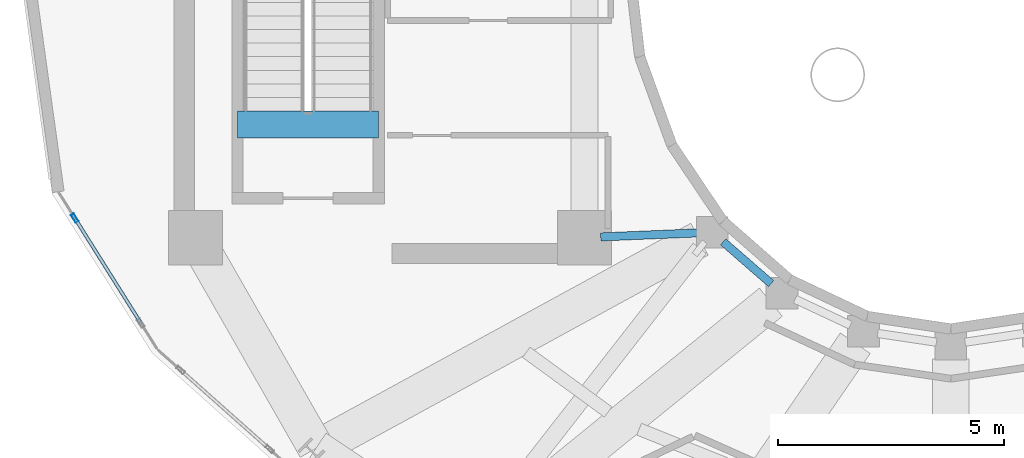
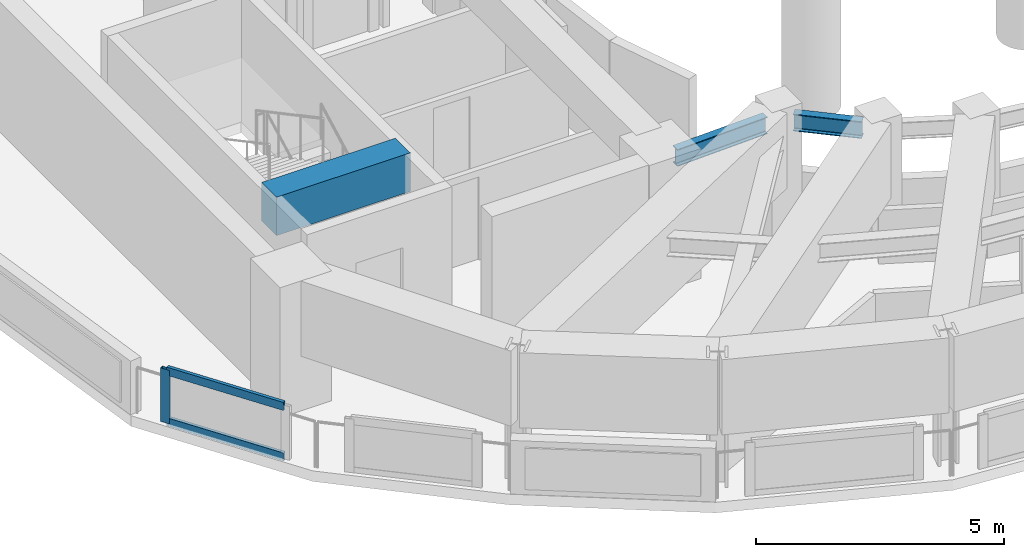
# One storey, part 3 of 17: 3 beams, 3 members, 1 element without a shape of its own.
"""IFC4 building model written with IfcOpenShell, lengths in metres."""

from ifc_helpers import new_model, si_unit, direction, frame, origin, origin_2d, place, context, subcontext, project, spatial, rectangle, hollow_rectangle, i_section, extrude, material, layer, layer_set, material_profile, profile_set, type_object, element, aggregate, save


model = new_model("IFC4")

# Units and contexts
model_context = context("Model", 3, precision=1e-05, world=origin(), true_north=direction((0.0, 1.0)))
body_context = subcontext(model_context, "Body", "Model", "MODEL_VIEW")
ifc_project = project(units=[si_unit("LENGTHUNIT", "METRE"), si_unit("AREAUNIT", "SQUARE_METRE"), si_unit("VOLUMEUNIT", "CUBIC_METRE"), si_unit("PLANEANGLEUNIT", "RADIAN"), si_unit("MASSUNIT", "GRAM", prefix="KILO")], contexts=[model_context])

# Site, building, storey
site_placement = place(None, origin())
site = spatial("IfcSite", under=ifc_project, at=site_placement, CompositionType="ELEMENT")
building_placement = place(site_placement, origin())
building = spatial("IfcBuilding", under=site, at=building_placement, Name="Solvane Sanctuary Tower", CompositionType="ELEMENT")
storey_placement = place(building_placement, frame((0.0, 0.0, 270.0)))
storey = spatial("IfcBuildingStorey", under=building, at=storey_placement, Name="L82", CompositionType="ELEMENT", Elevation=270.0)

# Beams
ifc_material_1 = material(Name="Concrete C70/85", Category="concrete")
ifc_material_profile_1 = material_profile(ifc_material_1, rectangle(XDim=0.60009765625, YDim=0.949951171875, at=origin_2d()), Name="RC600X950")
ifc_profile_set_1 = profile_set([ifc_material_profile_1], Name="Concrete C70/85")
beam_type_1 = type_object("IfcBeamType", Name="Beam B-COUPLE RC600X950", PredefinedType="LINTEL", material=ifc_profile_set_1)
beam_1_placement = place(storey_placement, frame((16.22998046875, 19.399169921875, 2.72509765625), z_axis=(1.0, 0.0, 0.0), x_axis=(0.0, 1.0, 0.0)))
element("IfcBeam", 1, at=beam_1_placement, inside=storey, type_object=beam_type_1, Name="L82 ST-1 Stair Floor Landing Trimmer", PredefinedType="LINTEL", context=body_context, shape_type="SweptSolid", body=[
    extrude(rectangle(XDim=0.60009765625, YDim=0.949951171875, at=origin_2d()), origin(), (0.0, 0.0, 1.0), 3.1201171875),
])
ifc_material_2 = material(Name="Steel ASTM A992 Grade 50", Category="steel")
ifc_material_profile_2 = material_profile(ifc_material_2, i_section(OverallWidth=0.180908203125, OverallDepth=0.4169921875, WebThickness=0.010986328125, FlangeThickness=0.018310546875, FilletRadius=0.012939453125, at=origin_2d()), Name="W16X57")
ifc_profile_set_2 = profile_set([ifc_material_profile_2], Name="Steel ASTM A992 Grade 50")
beam_type_2 = type_object("IfcBeamType", Name="Beam B-ROOF-BM W16X57", PredefinedType="BEAM", material=ifc_profile_set_2)
beam_2_placement = place(storey_placement, frame((24.259765625, 16.9150390625, 2.7294921875), z_axis=(0.999129127803, 0.041725124022, 0.0), x_axis=(-0.041725124022, 0.999129127803, 0.0)))
element("IfcBeam", 2, at=beam_2_placement, inside=storey, type_object=beam_type_2, Name="L82 Inner Light-Well Ring Beam CW2-IC08", PredefinedType="BEAM", context=body_context, shape_type="SweptSolid", body=[
    extrude(i_section(OverallWidth=0.180908203125, OverallDepth=0.4169921875, WebThickness=0.010986328125, FlangeThickness=0.018310546875, FilletRadius=0.012939453125, at=origin_2d()), origin(), (0.0, 0.0, 1.0), 2.1474609375),
])
beam_3_placement = place(storey_placement, frame((26.96630859375, 16.807861328125, 2.7294921875), z_axis=(0.754388985763, -0.656427648839, 0.0), x_axis=(0.656427648839, 0.754388985763, 0.0)))
element("IfcBeam", 3, at=beam_3_placement, inside=storey, type_object=beam_type_2, Name="L82 Inner Light-Well Ring Beam IC08-IC09", PredefinedType="BEAM", context=body_context, shape_type="SweptSolid", body=[
    extrude(i_section(OverallWidth=0.180908203125, OverallDepth=0.4169921875, WebThickness=0.010986328125, FlangeThickness=0.018310546875, FilletRadius=0.012939453125, at=origin_2d()), origin(), (0.0, 0.0, 1.0), 1.408203125),
])

# Curtain wall, members
ifc_material_3 = material(Name="Anodised Aluminium 6063-T6", Category="aluminium")
ifc_layer = layer(ifc_material_3, 0.219970703125, Name="Anodised Aluminium 6063-T6")
ifc_layer_set = layer_set([ifc_layer], Name="Anodised Aluminium 6063-T6")
curtain_wall_type = type_object("IfcCurtainWallType", Name="Curtain Wall CW-CROWN", PredefinedType="NOTDEFINED", material=ifc_layer_set)
curtain_wall_placement = place(storey_placement, origin())
curtain_wall = element("IfcCurtainWall", 4, at=curtain_wall_placement, inside=storey, type_object=curtain_wall_type, Name="L82 Crown Fritted Lantern Curtain Wall 13", PredefinedType="NOTDEFINED")
ifc_material_profile_3 = material_profile(ifc_material_3, hollow_rectangle(XDim=0.074951171875, YDim=0.199951171875, WallThickness=0.00390625, at=origin_2d()), Name="ALU200X75X4")
ifc_profile_set_3 = profile_set([ifc_material_profile_3], Name="Anodised Aluminium 6063-T6")
member_type_1 = type_object("IfcMemberType", Name="Member M-CW-MUL-1 ALU200X75X4", PredefinedType="MULLION", material=ifc_profile_set_3)
member_1_placement = place(storey_placement, frame((12.632080078125, 17.33154296875, 0.0), z_axis=(0.0, 0.0, 1.0), x_axis=(0.84660365243, 0.532223877416, 0.0)))
member_1 = element("IfcMember", 5, at=member_1_placement, type_object=member_type_1, Name="CW-CROWN mullion 1", PredefinedType="MULLION", context=body_context, shape_type="SweptSolid", body=[
    extrude(hollow_rectangle(XDim=0.074951171875, YDim=0.199951171875, WallThickness=0.00390625, at=origin_2d()), origin(), (0.0, 0.0, 1.0), 1.320068359375),
])
ifc_material_profile_4 = material_profile(ifc_material_3, hollow_rectangle(XDim=0.074951171875, YDim=0.199951171875, WallThickness=0.00390625, at=origin_2d()), Name="ALU200X75X4")
ifc_profile_set_4 = profile_set([ifc_material_profile_4], Name="Anodised Aluminium 6063-T6")
member_type_2 = type_object("IfcMemberType", Name="Member M-CW-TRN-2 ALU200X75X4", PredefinedType="USERDEFINED", material=ifc_profile_set_4)
member_2_placement = place(storey_placement, frame((12.652099609375, 17.2998046875, 0.03759765625), z_axis=(0.532218404821, -0.846607092794, 0.0), x_axis=(0.846607092794, 0.532218404821, 0.0)))
member_2 = element("IfcMember", 6, at=member_2_placement, type_object=member_type_2, Name="CW-CROWN transom 1.1", ObjectType="TRANSOM", PredefinedType="USERDEFINED", context=body_context, shape_type="SweptSolid", body=[
    extrude(hollow_rectangle(XDim=0.074951171875, YDim=0.199951171875, WallThickness=0.00390625, at=origin_2d()), origin(), (0.0, 0.0, 1.0), 2.66748046875),
])
member_3_placement = place(storey_placement, frame((12.652099609375, 17.2998046875, 1.282470703125), z_axis=(0.532218404821, -0.846607092794, 0.0), x_axis=(0.846607092794, 0.532218404821, 0.0)))
member_3 = element("IfcMember", 7, at=member_3_placement, type_object=member_type_2, Name="CW-CROWN transom 1.2", ObjectType="TRANSOM", PredefinedType="USERDEFINED", context=body_context, shape_type="SweptSolid", body=[
    extrude(hollow_rectangle(XDim=0.074951171875, YDim=0.199951171875, WallThickness=0.00390625, at=origin_2d()), origin(), (0.0, 0.0, 1.0), 2.66748046875),
])
aggregate(curtain_wall, [member_1, member_2, member_3])

save(model, "model.ifc")
